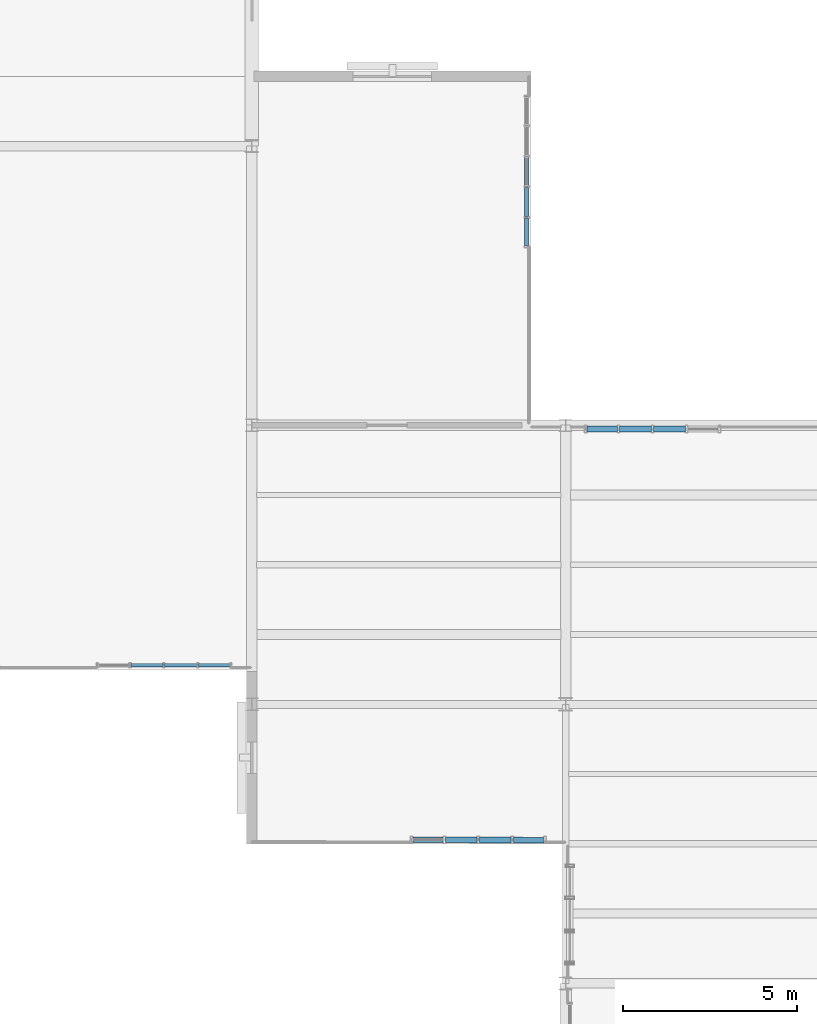
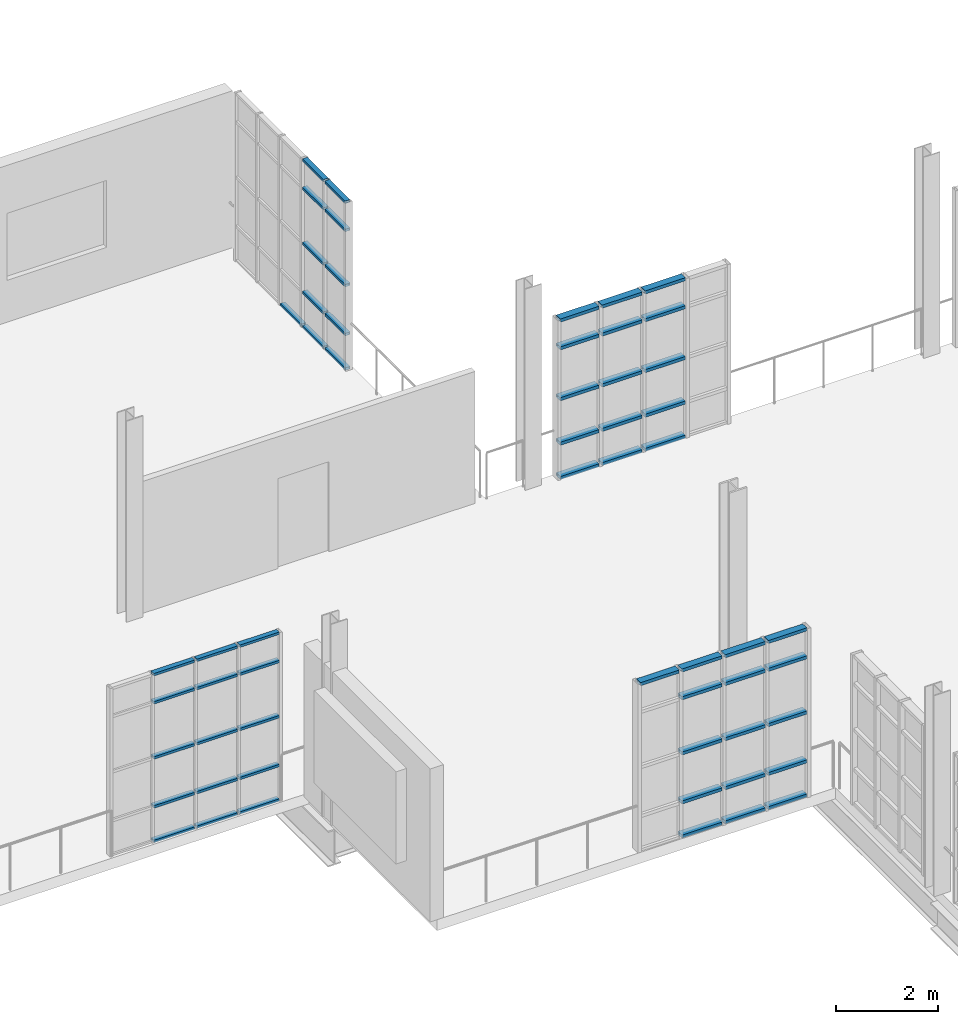
# One storey, part 68 of 122: 57 members, 4 elements without a shape of their own.
"""IFC4 building model written with IfcOpenShell, lengths in metres."""

from ifc_helpers import new_model, si_unit, direction, frame, origin, origin_2d, place, context, subcontext, project, spatial, hollow_rectangle, extrude, material, layer, layer_set, material_profile, profile_set, type_object, element, aggregate, save


model = new_model("IFC4")

# Units and contexts
model_context = context("Model", 3, precision=1e-05, world=origin(), true_north=direction((0.0, 1.0)))
body_context = subcontext(model_context, "Body", "Model", "MODEL_VIEW")
ifc_project = project(units=[si_unit("LENGTHUNIT", "METRE"), si_unit("AREAUNIT", "SQUARE_METRE"), si_unit("VOLUMEUNIT", "CUBIC_METRE"), si_unit("PLANEANGLEUNIT", "RADIAN"), si_unit("MASSUNIT", "GRAM", prefix="KILO"), si_unit("THERMODYNAMICTEMPERATUREUNIT", "KELVIN"), si_unit("POWERUNIT", "WATT")], contexts=[model_context])

# Site, building, storey
site_placement = place(None, origin())
site = spatial("IfcSite", under=ifc_project, at=site_placement, CompositionType="ELEMENT")
building_placement = place(site_placement, origin())
building = spatial("IfcBuilding", under=site, at=building_placement, Name="Zelmaris Science Centre", CompositionType="ELEMENT")
storey_placement = place(building_placement, frame((0.0, 0.0, 10.800048828125)))
storey = spatial("IfcBuildingStorey", under=building, at=storey_placement, Name="L02", CompositionType="ELEMENT", Elevation=10.800048828125)

# Curtain wall, members
ifc_material = material(Name="Anodised architectural aluminium 6063-T6", Category="aluminium")
ifc_layer_1 = layer(ifc_material, 0.219970703125, Name="Anodised architectural aluminium 6063-T6")
ifc_layer_set_1 = layer_set([ifc_layer_1], Name="Anodised architectural aluminium 6063-T6")
curtain_wall_type_1 = type_object("IfcCurtainWallType", Name="Curtain Wall CW-04", PredefinedType="USERDEFINED", material=ifc_layer_set_1)
curtain_wall_1_placement = place(storey_placement, origin())
curtain_wall_1 = element("IfcCurtainWall", 1, at=curtain_wall_1_placement, inside=storey, type_object=curtain_wall_type_1, Name="L02 Unitised curtain wall 216", ObjectType="GLAZED CURTAIN WALL", PredefinedType="USERDEFINED")
ifc_material_profile_1 = material_profile(ifc_material, hollow_rectangle(XDim=0.06005859375, YDim=0.110107421875, WallThickness=0.0029296875, at=origin_2d()), Name="ALU-TRN-60X110")
ifc_profile_set_1 = profile_set([ifc_material_profile_1], Name="Anodised architectural aluminium 6063-T6")
member_type_1 = type_object("IfcMemberType", Name="ALU-TRN-60X110", PredefinedType="USERDEFINED", material=ifc_profile_set_1)
member_1_placement = place(storey_placement, frame((115.8798828125, 63.68603515625, 0.010986328125), z_axis=(0.0, -1.0, 0.0), x_axis=(0.0, 0.0, 1.0)))
member_1 = element("IfcMember", 2, at=member_1_placement, type_object=member_type_1, Name="CW-04 transom 3.1", ObjectType="TRANSOM", PredefinedType="USERDEFINED", context=body_context, shape_type="SweptSolid", body=[
    extrude(hollow_rectangle(XDim=0.06005859375, YDim=0.110107421875, WallThickness=0.0029296875, at=origin_2d()), origin(), (0.0, 0.0, 1.0), 0.822021484375),
])
member_2_placement = place(storey_placement, frame((115.8798828125, 62.81201171875, 0.010986328125), z_axis=(0.0, -1.0, 0.0), x_axis=(0.0, 0.0, 1.0)))
member_2 = element("IfcMember", 3, at=member_2_placement, type_object=member_type_1, Name="CW-04 transom 4.1", ObjectType="TRANSOM", PredefinedType="USERDEFINED", context=body_context, shape_type="SweptSolid", body=[
    extrude(hollow_rectangle(XDim=0.06005859375, YDim=0.110107421875, WallThickness=0.0029296875, at=origin_2d()), origin(), (0.0, 0.0, 1.0), 0.822021484375),
])
member_3_placement = place(storey_placement, frame((115.8798828125, 62.81201171875, 0.8349609375), z_axis=(0.0, -1.0, 0.0), x_axis=(0.0, 0.0, 1.0)))
member_3 = element("IfcMember", 4, at=member_3_placement, type_object=member_type_1, Name="CW-04 transom 4.2", ObjectType="TRANSOM", PredefinedType="USERDEFINED", context=body_context, shape_type="SweptSolid", body=[
    extrude(hollow_rectangle(XDim=0.06005859375, YDim=0.110107421875, WallThickness=0.0029296875, at=origin_2d()), origin(), (0.0, 0.0, 1.0), 0.822021484375),
])
member_4_placement = place(storey_placement, frame((115.8798828125, 62.81201171875, 2.00244140625), z_axis=(0.0, -1.0, 0.0), x_axis=(0.0, 0.0, 1.0)))
member_4 = element("IfcMember", 5, at=member_4_placement, type_object=member_type_1, Name="CW-04 transom 4.3", ObjectType="TRANSOM", PredefinedType="USERDEFINED", context=body_context, shape_type="SweptSolid", body=[
    extrude(hollow_rectangle(XDim=0.06005859375, YDim=0.110107421875, WallThickness=0.0029296875, at=origin_2d()), origin(), (0.0, 0.0, 1.0), 0.822021484375),
])
member_5_placement = place(storey_placement, frame((115.8798828125, 62.81201171875, 3.320068359375), z_axis=(0.0, -1.0, 0.0), x_axis=(0.0, 0.0, 1.0)))
member_5 = element("IfcMember", 6, at=member_5_placement, type_object=member_type_1, Name="CW-04 transom 4.4", ObjectType="TRANSOM", PredefinedType="USERDEFINED", context=body_context, shape_type="SweptSolid", body=[
    extrude(hollow_rectangle(XDim=0.06005859375, YDim=0.110107421875, WallThickness=0.0029296875, at=origin_2d()), origin(), (0.0, 0.0, 1.0), 0.822021484375),
])
member_6_placement = place(storey_placement, frame((115.8798828125, 62.81201171875, 3.993896484375), z_axis=(0.0, -1.0, 0.0), x_axis=(0.0, 0.0, 1.0)))
member_6 = element("IfcMember", 7, at=member_6_placement, type_object=member_type_1, Name="CW-04 transom 4.5", ObjectType="TRANSOM", PredefinedType="USERDEFINED", context=body_context, shape_type="SweptSolid", body=[
    extrude(hollow_rectangle(XDim=0.06005859375, YDim=0.110107421875, WallThickness=0.0029296875, at=origin_2d()), origin(), (0.0, 0.0, 1.0), 0.822021484375),
])
member_7_placement = place(storey_placement, frame((115.8798828125, 61.93798828125, 0.010986328125), z_axis=(0.0, -1.0, 0.0), x_axis=(0.0, 0.0, 1.0)))
member_7 = element("IfcMember", 8, at=member_7_placement, type_object=member_type_1, Name="CW-04 transom 5.1", ObjectType="TRANSOM", PredefinedType="USERDEFINED", context=body_context, shape_type="SweptSolid", body=[
    extrude(hollow_rectangle(XDim=0.06005859375, YDim=0.110107421875, WallThickness=0.0029296875, at=origin_2d()), origin(), (0.0, 0.0, 1.0), 0.7958984375),
])
member_8_placement = place(storey_placement, frame((115.8798828125, 61.93798828125, 0.8349609375), z_axis=(0.0, -1.0, 0.0), x_axis=(0.0, 0.0, 1.0)))
member_8 = element("IfcMember", 9, at=member_8_placement, type_object=member_type_1, Name="CW-04 transom 5.2", ObjectType="TRANSOM", PredefinedType="USERDEFINED", context=body_context, shape_type="SweptSolid", body=[
    extrude(hollow_rectangle(XDim=0.06005859375, YDim=0.110107421875, WallThickness=0.0029296875, at=origin_2d()), origin(), (0.0, 0.0, 1.0), 0.7958984375),
])
member_9_placement = place(storey_placement, frame((115.8798828125, 61.93798828125, 2.00244140625), z_axis=(0.0, -1.0, 0.0), x_axis=(0.0, 0.0, 1.0)))
member_9 = element("IfcMember", 10, at=member_9_placement, type_object=member_type_1, Name="CW-04 transom 5.3", ObjectType="TRANSOM", PredefinedType="USERDEFINED", context=body_context, shape_type="SweptSolid", body=[
    extrude(hollow_rectangle(XDim=0.06005859375, YDim=0.110107421875, WallThickness=0.0029296875, at=origin_2d()), origin(), (0.0, 0.0, 1.0), 0.7958984375),
])
member_10_placement = place(storey_placement, frame((115.8798828125, 61.93798828125, 3.320068359375), z_axis=(0.0, -1.0, 0.0), x_axis=(0.0, 0.0, 1.0)))
member_10 = element("IfcMember", 11, at=member_10_placement, type_object=member_type_1, Name="CW-04 transom 5.4", ObjectType="TRANSOM", PredefinedType="USERDEFINED", context=body_context, shape_type="SweptSolid", body=[
    extrude(hollow_rectangle(XDim=0.06005859375, YDim=0.110107421875, WallThickness=0.0029296875, at=origin_2d()), origin(), (0.0, 0.0, 1.0), 0.7958984375),
])
member_11_placement = place(storey_placement, frame((115.8798828125, 61.93798828125, 3.993896484375), z_axis=(0.0, -1.0, 0.0), x_axis=(0.0, 0.0, 1.0)))
member_11 = element("IfcMember", 12, at=member_11_placement, type_object=member_type_1, Name="CW-04 transom 5.5", ObjectType="TRANSOM", PredefinedType="USERDEFINED", context=body_context, shape_type="SweptSolid", body=[
    extrude(hollow_rectangle(XDim=0.06005859375, YDim=0.110107421875, WallThickness=0.0029296875, at=origin_2d()), origin(), (0.0, 0.0, 1.0), 0.7958984375),
])
aggregate(curtain_wall_1, [member_1, member_2, member_3, member_4, member_5, member_6, member_7, member_8, member_9, member_10, member_11])

curtain_wall_2_placement = place(storey_placement, origin())
curtain_wall_2 = element("IfcCurtainWall", 13, at=curtain_wall_2_placement, inside=storey, type_object=curtain_wall_type_1, Name="L02 Unitised curtain wall 268", ObjectType="GLAZED CURTAIN WALL", PredefinedType="USERDEFINED")
member_12_placement = place(storey_placement, frame((107.365478515625, 49.11767578125, 0.010986328125), z_axis=(-0.999999962531, 0.000273747594, 0.0), x_axis=(0.0, 0.0, 1.0)))
member_12 = element("IfcMember", 14, at=member_12_placement, type_object=member_type_1, Name="CW-04 transom 1.1", ObjectType="TRANSOM", PredefinedType="USERDEFINED", context=body_context, shape_type="SweptSolid", body=[
    extrude(hollow_rectangle(XDim=0.06005859375, YDim=0.110107421875, WallThickness=0.0029296875, at=origin_2d()), origin(), (0.0, 0.0, 1.0), 0.891845703125),
])
member_13_placement = place(storey_placement, frame((107.365478515625, 49.11767578125, 0.8349609375), z_axis=(-0.999999962531, 0.000273747594, 0.0), x_axis=(0.0, 0.0, 1.0)))
member_13 = element("IfcMember", 15, at=member_13_placement, type_object=member_type_1, Name="CW-04 transom 1.2", ObjectType="TRANSOM", PredefinedType="USERDEFINED", context=body_context, shape_type="SweptSolid", body=[
    extrude(hollow_rectangle(XDim=0.06005859375, YDim=0.110107421875, WallThickness=0.0029296875, at=origin_2d()), origin(), (0.0, 0.0, 1.0), 0.891845703125),
])
member_14_placement = place(storey_placement, frame((107.365478515625, 49.11767578125, 2.00244140625), z_axis=(-0.999999962531, 0.000273747594, 0.0), x_axis=(0.0, 0.0, 1.0)))
member_14 = element("IfcMember", 16, at=member_14_placement, type_object=member_type_1, Name="CW-04 transom 1.3", ObjectType="TRANSOM", PredefinedType="USERDEFINED", context=body_context, shape_type="SweptSolid", body=[
    extrude(hollow_rectangle(XDim=0.06005859375, YDim=0.110107421875, WallThickness=0.0029296875, at=origin_2d()), origin(), (0.0, 0.0, 1.0), 0.891845703125),
])
member_15_placement = place(storey_placement, frame((107.365478515625, 49.11767578125, 3.320068359375), z_axis=(-0.999999962531, 0.000273747594, 0.0), x_axis=(0.0, 0.0, 1.0)))
member_15 = element("IfcMember", 17, at=member_15_placement, type_object=member_type_1, Name="CW-04 transom 1.4", ObjectType="TRANSOM", PredefinedType="USERDEFINED", context=body_context, shape_type="SweptSolid", body=[
    extrude(hollow_rectangle(XDim=0.06005859375, YDim=0.110107421875, WallThickness=0.0029296875, at=origin_2d()), origin(), (0.0, 0.0, 1.0), 0.891845703125),
])
member_16_placement = place(storey_placement, frame((107.365478515625, 49.11767578125, 3.993896484375), z_axis=(-0.999999962531, 0.000273747594, 0.0), x_axis=(0.0, 0.0, 1.0)))
member_16 = element("IfcMember", 18, at=member_16_placement, type_object=member_type_1, Name="CW-04 transom 1.5", ObjectType="TRANSOM", PredefinedType="USERDEFINED", context=body_context, shape_type="SweptSolid", body=[
    extrude(hollow_rectangle(XDim=0.06005859375, YDim=0.110107421875, WallThickness=0.0029296875, at=origin_2d()), origin(), (0.0, 0.0, 1.0), 0.891845703125),
])
member_17_placement = place(storey_placement, frame((106.421630859375, 49.117919921875, 0.010986328125), z_axis=(-0.999999964596, 0.000266098979, 0.0), x_axis=(0.0, 0.0, 1.0)))
member_17 = element("IfcMember", 19, at=member_17_placement, type_object=member_type_1, Name="CW-04 transom 2.1", ObjectType="TRANSOM", PredefinedType="USERDEFINED", context=body_context, shape_type="SweptSolid", body=[
    extrude(hollow_rectangle(XDim=0.06005859375, YDim=0.110107421875, WallThickness=0.0029296875, at=origin_2d()), origin(), (0.0, 0.0, 1.0), 0.91748046875),
])
member_18_placement = place(storey_placement, frame((106.421630859375, 49.117919921875, 0.8349609375), z_axis=(-0.999999964596, 0.000266098979, 0.0), x_axis=(0.0, 0.0, 1.0)))
member_18 = element("IfcMember", 20, at=member_18_placement, type_object=member_type_1, Name="CW-04 transom 2.2", ObjectType="TRANSOM", PredefinedType="USERDEFINED", context=body_context, shape_type="SweptSolid", body=[
    extrude(hollow_rectangle(XDim=0.06005859375, YDim=0.110107421875, WallThickness=0.0029296875, at=origin_2d()), origin(), (0.0, 0.0, 1.0), 0.91748046875),
])
member_19_placement = place(storey_placement, frame((106.421630859375, 49.117919921875, 2.00244140625), z_axis=(-0.999999964596, 0.000266098979, 0.0), x_axis=(0.0, 0.0, 1.0)))
member_19 = element("IfcMember", 21, at=member_19_placement, type_object=member_type_1, Name="CW-04 transom 2.3", ObjectType="TRANSOM", PredefinedType="USERDEFINED", context=body_context, shape_type="SweptSolid", body=[
    extrude(hollow_rectangle(XDim=0.06005859375, YDim=0.110107421875, WallThickness=0.0029296875, at=origin_2d()), origin(), (0.0, 0.0, 1.0), 0.91748046875),
])
member_20_placement = place(storey_placement, frame((106.421630859375, 49.117919921875, 3.320068359375), z_axis=(-0.999999964596, 0.000266098979, 0.0), x_axis=(0.0, 0.0, 1.0)))
member_20 = element("IfcMember", 22, at=member_20_placement, type_object=member_type_1, Name="CW-04 transom 2.4", ObjectType="TRANSOM", PredefinedType="USERDEFINED", context=body_context, shape_type="SweptSolid", body=[
    extrude(hollow_rectangle(XDim=0.06005859375, YDim=0.110107421875, WallThickness=0.0029296875, at=origin_2d()), origin(), (0.0, 0.0, 1.0), 0.91748046875),
])
member_21_placement = place(storey_placement, frame((106.421630859375, 49.117919921875, 3.993896484375), z_axis=(-0.999999964596, 0.000266098979, 0.0), x_axis=(0.0, 0.0, 1.0)))
member_21 = element("IfcMember", 23, at=member_21_placement, type_object=member_type_1, Name="CW-04 transom 2.5", ObjectType="TRANSOM", PredefinedType="USERDEFINED", context=body_context, shape_type="SweptSolid", body=[
    extrude(hollow_rectangle(XDim=0.06005859375, YDim=0.110107421875, WallThickness=0.0029296875, at=origin_2d()), origin(), (0.0, 0.0, 1.0), 0.91748046875),
])
member_22_placement = place(storey_placement, frame((105.4521484375, 49.1181640625, 0.010986328125), z_axis=(-0.999999964615, 0.00026602819, 0.0), x_axis=(0.0, 0.0, 1.0)))
member_22 = element("IfcMember", 24, at=member_22_placement, type_object=member_type_1, Name="CW-04 transom 3.1", ObjectType="TRANSOM", PredefinedType="USERDEFINED", context=body_context, shape_type="SweptSolid", body=[
    extrude(hollow_rectangle(XDim=0.06005859375, YDim=0.110107421875, WallThickness=0.0029296875, at=origin_2d()), origin(), (0.0, 0.0, 1.0), 0.917724609375),
])
member_23_placement = place(storey_placement, frame((105.4521484375, 49.1181640625, 0.8349609375), z_axis=(-0.999999964615, 0.00026602819, 0.0), x_axis=(0.0, 0.0, 1.0)))
member_23 = element("IfcMember", 25, at=member_23_placement, type_object=member_type_1, Name="CW-04 transom 3.2", ObjectType="TRANSOM", PredefinedType="USERDEFINED", context=body_context, shape_type="SweptSolid", body=[
    extrude(hollow_rectangle(XDim=0.06005859375, YDim=0.110107421875, WallThickness=0.0029296875, at=origin_2d()), origin(), (0.0, 0.0, 1.0), 0.917724609375),
])
member_24_placement = place(storey_placement, frame((105.4521484375, 49.1181640625, 2.00244140625), z_axis=(-0.999999964615, 0.00026602819, 0.0), x_axis=(0.0, 0.0, 1.0)))
member_24 = element("IfcMember", 26, at=member_24_placement, type_object=member_type_1, Name="CW-04 transom 3.3", ObjectType="TRANSOM", PredefinedType="USERDEFINED", context=body_context, shape_type="SweptSolid", body=[
    extrude(hollow_rectangle(XDim=0.06005859375, YDim=0.110107421875, WallThickness=0.0029296875, at=origin_2d()), origin(), (0.0, 0.0, 1.0), 0.917724609375),
])
member_25_placement = place(storey_placement, frame((105.4521484375, 49.1181640625, 3.320068359375), z_axis=(-0.999999964615, 0.00026602819, 0.0), x_axis=(0.0, 0.0, 1.0)))
member_25 = element("IfcMember", 27, at=member_25_placement, type_object=member_type_1, Name="CW-04 transom 3.4", ObjectType="TRANSOM", PredefinedType="USERDEFINED", context=body_context, shape_type="SweptSolid", body=[
    extrude(hollow_rectangle(XDim=0.06005859375, YDim=0.110107421875, WallThickness=0.0029296875, at=origin_2d()), origin(), (0.0, 0.0, 1.0), 0.917724609375),
])
member_26_placement = place(storey_placement, frame((105.4521484375, 49.1181640625, 3.993896484375), z_axis=(-0.999999964615, 0.00026602819, 0.0), x_axis=(0.0, 0.0, 1.0)))
member_26 = element("IfcMember", 28, at=member_26_placement, type_object=member_type_1, Name="CW-04 transom 3.5", ObjectType="TRANSOM", PredefinedType="USERDEFINED", context=body_context, shape_type="SweptSolid", body=[
    extrude(hollow_rectangle(XDim=0.06005859375, YDim=0.110107421875, WallThickness=0.0029296875, at=origin_2d()), origin(), (0.0, 0.0, 1.0), 0.917724609375),
])
aggregate(curtain_wall_2, [member_12, member_13, member_14, member_15, member_16, member_17, member_18, member_19, member_20, member_21, member_22, member_23, member_24, member_25, member_26])

ifc_layer_2 = layer(ifc_material, 0.199951171875, Name="Anodised architectural aluminium 6063-T6")
ifc_layer_set_2 = layer_set([ifc_layer_2], Name="Anodised architectural aluminium 6063-T6")
curtain_wall_type_2 = type_object("IfcCurtainWallType", Name="Curtain Wall CW-02", PredefinedType="USERDEFINED", material=ifc_layer_set_2)
curtain_wall_3_placement = place(storey_placement, origin())
curtain_wall_3 = element("IfcCurtainWall", 29, at=curtain_wall_3_placement, inside=storey, type_object=curtain_wall_type_2, Name="L02 Unitised curtain wall 218", ObjectType="GLAZED CURTAIN WALL", PredefinedType="USERDEFINED")
ifc_material_profile_2 = material_profile(ifc_material, hollow_rectangle(XDim=0.074951171875, YDim=0.159912109375, WallThickness=0.00390625, at=origin_2d()), Name="ALU-TRN-75X160")
ifc_profile_set_2 = profile_set([ifc_material_profile_2], Name="Anodised architectural aluminium 6063-T6")
member_type_2 = type_object("IfcMemberType", Name="ALU-TRN-75X160", PredefinedType="USERDEFINED", material=ifc_profile_set_2)
member_27_placement = place(storey_placement, frame((117.60693359375, 55.892822265625, 0.0185546875), z_axis=(0.999999844124, -0.000558347205, 0.0), x_axis=(0.0, 0.0, 1.0)))
member_27 = element("IfcMember", 30, at=member_27_placement, type_object=member_type_2, Name="CW-02 transom 1.1", ObjectType="TRANSOM", PredefinedType="USERDEFINED", context=body_context, shape_type="SweptSolid", body=[
    extrude(hollow_rectangle(XDim=0.074951171875, YDim=0.159912109375, WallThickness=0.00390625, at=origin_2d()), origin(), (0.0, 0.0, 1.0), 0.87451171875),
])
member_28_placement = place(storey_placement, frame((117.60693359375, 55.892822265625, 0.8349609375), z_axis=(0.999999844124, -0.000558347205, 0.0), x_axis=(0.0, 0.0, 1.0)))
member_28 = element("IfcMember", 31, at=member_28_placement, type_object=member_type_2, Name="CW-02 transom 1.2", ObjectType="TRANSOM", PredefinedType="USERDEFINED", context=body_context, shape_type="SweptSolid", body=[
    extrude(hollow_rectangle(XDim=0.074951171875, YDim=0.159912109375, WallThickness=0.00390625, at=origin_2d()), origin(), (0.0, 0.0, 1.0), 0.87451171875),
])
member_29_placement = place(storey_placement, frame((117.60693359375, 55.892822265625, 1.8984375), z_axis=(0.999999844124, -0.000558347205, 0.0), x_axis=(0.0, 0.0, 1.0)))
member_29 = element("IfcMember", 32, at=member_29_placement, type_object=member_type_2, Name="CW-02 transom 1.3", ObjectType="TRANSOM", PredefinedType="USERDEFINED", context=body_context, shape_type="SweptSolid", body=[
    extrude(hollow_rectangle(XDim=0.074951171875, YDim=0.159912109375, WallThickness=0.00390625, at=origin_2d()), origin(), (0.0, 0.0, 1.0), 0.87451171875),
])
member_30_placement = place(storey_placement, frame((117.60693359375, 55.892822265625, 3.112060546875), z_axis=(0.999999844124, -0.000558347205, 0.0), x_axis=(0.0, 0.0, 1.0)))
member_30 = element("IfcMember", 33, at=member_30_placement, type_object=member_type_2, Name="CW-02 transom 1.4", ObjectType="TRANSOM", PredefinedType="USERDEFINED", context=body_context, shape_type="SweptSolid", body=[
    extrude(hollow_rectangle(XDim=0.074951171875, YDim=0.159912109375, WallThickness=0.00390625, at=origin_2d()), origin(), (0.0, 0.0, 1.0), 0.87451171875),
])
member_31_placement = place(storey_placement, frame((117.60693359375, 55.892822265625, 3.778564453125), z_axis=(0.999999844124, -0.000558347205, 0.0), x_axis=(0.0, 0.0, 1.0)))
member_31 = element("IfcMember", 34, at=member_31_placement, type_object=member_type_2, Name="CW-02 transom 1.5", ObjectType="TRANSOM", PredefinedType="USERDEFINED", context=body_context, shape_type="SweptSolid", body=[
    extrude(hollow_rectangle(XDim=0.074951171875, YDim=0.159912109375, WallThickness=0.00390625, at=origin_2d()), origin(), (0.0, 0.0, 1.0), 0.87451171875),
])
member_32_placement = place(storey_placement, frame((118.54833984375, 55.892333984375, 0.0185546875), z_axis=(0.999999855397, -0.000537778895, 0.0), x_axis=(0.0, 0.0, 1.0)))
member_32 = element("IfcMember", 35, at=member_32_placement, type_object=member_type_2, Name="CW-02 transom 2.1", ObjectType="TRANSOM", PredefinedType="USERDEFINED", context=body_context, shape_type="SweptSolid", body=[
    extrude(hollow_rectangle(XDim=0.074951171875, YDim=0.159912109375, WallThickness=0.00390625, at=origin_2d()), origin(), (0.0, 0.0, 1.0), 0.907958984375),
])
member_33_placement = place(storey_placement, frame((118.54833984375, 55.892333984375, 0.8349609375), z_axis=(0.999999855397, -0.000537778895, 0.0), x_axis=(0.0, 0.0, 1.0)))
member_33 = element("IfcMember", 36, at=member_33_placement, type_object=member_type_2, Name="CW-02 transom 2.2", ObjectType="TRANSOM", PredefinedType="USERDEFINED", context=body_context, shape_type="SweptSolid", body=[
    extrude(hollow_rectangle(XDim=0.074951171875, YDim=0.159912109375, WallThickness=0.00390625, at=origin_2d()), origin(), (0.0, 0.0, 1.0), 0.907958984375),
])
member_34_placement = place(storey_placement, frame((118.54833984375, 55.892333984375, 1.8984375), z_axis=(0.999999855397, -0.000537778895, 0.0), x_axis=(0.0, 0.0, 1.0)))
member_34 = element("IfcMember", 37, at=member_34_placement, type_object=member_type_2, Name="CW-02 transom 2.3", ObjectType="TRANSOM", PredefinedType="USERDEFINED", context=body_context, shape_type="SweptSolid", body=[
    extrude(hollow_rectangle(XDim=0.074951171875, YDim=0.159912109375, WallThickness=0.00390625, at=origin_2d()), origin(), (0.0, 0.0, 1.0), 0.907958984375),
])
member_35_placement = place(storey_placement, frame((118.54833984375, 55.892333984375, 3.112060546875), z_axis=(0.999999855397, -0.000537778895, 0.0), x_axis=(0.0, 0.0, 1.0)))
member_35 = element("IfcMember", 38, at=member_35_placement, type_object=member_type_2, Name="CW-02 transom 2.4", ObjectType="TRANSOM", PredefinedType="USERDEFINED", context=body_context, shape_type="SweptSolid", body=[
    extrude(hollow_rectangle(XDim=0.074951171875, YDim=0.159912109375, WallThickness=0.00390625, at=origin_2d()), origin(), (0.0, 0.0, 1.0), 0.907958984375),
])
member_36_placement = place(storey_placement, frame((118.54833984375, 55.892333984375, 3.778564453125), z_axis=(0.999999855397, -0.000537778895, 0.0), x_axis=(0.0, 0.0, 1.0)))
member_36 = element("IfcMember", 39, at=member_36_placement, type_object=member_type_2, Name="CW-02 transom 2.5", ObjectType="TRANSOM", PredefinedType="USERDEFINED", context=body_context, shape_type="SweptSolid", body=[
    extrude(hollow_rectangle(XDim=0.074951171875, YDim=0.159912109375, WallThickness=0.00390625, at=origin_2d()), origin(), (0.0, 0.0, 1.0), 0.907958984375),
])
member_37_placement = place(storey_placement, frame((119.5234375, 55.891845703125, 0.0185546875), z_axis=(0.999999963849, -0.000268889477, 0.0), x_axis=(0.0, 0.0, 1.0)))
member_37 = element("IfcMember", 40, at=member_37_placement, type_object=member_type_2, Name="CW-02 transom 3.1", ObjectType="TRANSOM", PredefinedType="USERDEFINED", context=body_context, shape_type="SweptSolid", body=[
    extrude(hollow_rectangle(XDim=0.074951171875, YDim=0.159912109375, WallThickness=0.00390625, at=origin_2d()), origin(), (0.0, 0.0, 1.0), 0.907958984375),
])
member_38_placement = place(storey_placement, frame((119.5234375, 55.891845703125, 0.8349609375), z_axis=(0.999999963849, -0.000268889477, 0.0), x_axis=(0.0, 0.0, 1.0)))
member_38 = element("IfcMember", 41, at=member_38_placement, type_object=member_type_2, Name="CW-02 transom 3.2", ObjectType="TRANSOM", PredefinedType="USERDEFINED", context=body_context, shape_type="SweptSolid", body=[
    extrude(hollow_rectangle(XDim=0.074951171875, YDim=0.159912109375, WallThickness=0.00390625, at=origin_2d()), origin(), (0.0, 0.0, 1.0), 0.907958984375),
])
member_39_placement = place(storey_placement, frame((119.5234375, 55.891845703125, 1.8984375), z_axis=(0.999999963849, -0.000268889477, 0.0), x_axis=(0.0, 0.0, 1.0)))
member_39 = element("IfcMember", 42, at=member_39_placement, type_object=member_type_2, Name="CW-02 transom 3.3", ObjectType="TRANSOM", PredefinedType="USERDEFINED", context=body_context, shape_type="SweptSolid", body=[
    extrude(hollow_rectangle(XDim=0.074951171875, YDim=0.159912109375, WallThickness=0.00390625, at=origin_2d()), origin(), (0.0, 0.0, 1.0), 0.907958984375),
])
member_40_placement = place(storey_placement, frame((119.5234375, 55.891845703125, 3.112060546875), z_axis=(0.999999963849, -0.000268889477, 0.0), x_axis=(0.0, 0.0, 1.0)))
member_40 = element("IfcMember", 43, at=member_40_placement, type_object=member_type_2, Name="CW-02 transom 3.4", ObjectType="TRANSOM", PredefinedType="USERDEFINED", context=body_context, shape_type="SweptSolid", body=[
    extrude(hollow_rectangle(XDim=0.074951171875, YDim=0.159912109375, WallThickness=0.00390625, at=origin_2d()), origin(), (0.0, 0.0, 1.0), 0.907958984375),
])
member_41_placement = place(storey_placement, frame((119.5234375, 55.891845703125, 3.778564453125), z_axis=(0.999999963849, -0.000268889477, 0.0), x_axis=(0.0, 0.0, 1.0)))
member_41 = element("IfcMember", 44, at=member_41_placement, type_object=member_type_2, Name="CW-02 transom 3.5", ObjectType="TRANSOM", PredefinedType="USERDEFINED", context=body_context, shape_type="SweptSolid", body=[
    extrude(hollow_rectangle(XDim=0.074951171875, YDim=0.159912109375, WallThickness=0.00390625, at=origin_2d()), origin(), (0.0, 0.0, 1.0), 0.907958984375),
])
aggregate(curtain_wall_3, [member_27, member_28, member_29, member_30, member_31, member_32, member_33, member_34, member_35, member_36, member_37, member_38, member_39, member_40, member_41])

curtain_wall_4_placement = place(storey_placement, origin())
curtain_wall_4 = element("IfcCurtainWall", 45, at=curtain_wall_4_placement, inside=storey, type_object=curtain_wall_type_2, Name="L02 Unitised curtain wall 266", ObjectType="GLAZED CURTAIN WALL", PredefinedType="USERDEFINED")
member_42_placement = place(storey_placement, frame((116.371337890625, 44.107421875, 0.0185546875), z_axis=(-0.999999019766, 0.001400166648, 0.0), x_axis=(0.0, 0.0, 1.0)))
member_42 = element("IfcMember", 46, at=member_42_placement, type_object=member_type_2, Name="CW-02 transom 1.1", ObjectType="TRANSOM", PredefinedType="USERDEFINED", context=body_context, shape_type="SweptSolid", body=[
    extrude(hollow_rectangle(XDim=0.074951171875, YDim=0.159912109375, WallThickness=0.00390625, at=origin_2d()), origin(), (0.0, 0.0, 1.0), 0.871826171875),
])
member_43_placement = place(storey_placement, frame((116.371337890625, 44.107421875, 0.8349609375), z_axis=(-0.999999019766, 0.001400166648, 0.0), x_axis=(0.0, 0.0, 1.0)))
member_43 = element("IfcMember", 47, at=member_43_placement, type_object=member_type_2, Name="CW-02 transom 1.2", ObjectType="TRANSOM", PredefinedType="USERDEFINED", context=body_context, shape_type="SweptSolid", body=[
    extrude(hollow_rectangle(XDim=0.074951171875, YDim=0.159912109375, WallThickness=0.00390625, at=origin_2d()), origin(), (0.0, 0.0, 1.0), 0.871826171875),
])
member_44_placement = place(storey_placement, frame((116.371337890625, 44.107421875, 2.00244140625), z_axis=(-0.999999019766, 0.001400166648, 0.0), x_axis=(0.0, 0.0, 1.0)))
member_44 = element("IfcMember", 48, at=member_44_placement, type_object=member_type_2, Name="CW-02 transom 1.3", ObjectType="TRANSOM", PredefinedType="USERDEFINED", context=body_context, shape_type="SweptSolid", body=[
    extrude(hollow_rectangle(XDim=0.074951171875, YDim=0.159912109375, WallThickness=0.00390625, at=origin_2d()), origin(), (0.0, 0.0, 1.0), 0.871826171875),
])
member_45_placement = place(storey_placement, frame((116.371337890625, 44.107421875, 3.320068359375), z_axis=(-0.999999019766, 0.001400166648, 0.0), x_axis=(0.0, 0.0, 1.0)))
member_45 = element("IfcMember", 49, at=member_45_placement, type_object=member_type_2, Name="CW-02 transom 1.4", ObjectType="TRANSOM", PredefinedType="USERDEFINED", context=body_context, shape_type="SweptSolid", body=[
    extrude(hollow_rectangle(XDim=0.074951171875, YDim=0.159912109375, WallThickness=0.00390625, at=origin_2d()), origin(), (0.0, 0.0, 1.0), 0.871826171875),
])
member_46_placement = place(storey_placement, frame((116.371337890625, 44.107421875, 3.986572265625), z_axis=(-0.999999019766, 0.001400166648, 0.0), x_axis=(0.0, 0.0, 1.0)))
member_46 = element("IfcMember", 50, at=member_46_placement, type_object=member_type_2, Name="CW-02 transom 1.5", ObjectType="TRANSOM", PredefinedType="USERDEFINED", context=body_context, shape_type="SweptSolid", body=[
    extrude(hollow_rectangle(XDim=0.074951171875, YDim=0.159912109375, WallThickness=0.00390625, at=origin_2d()), origin(), (0.0, 0.0, 1.0), 0.871826171875),
])
member_47_placement = place(storey_placement, frame((115.4326171875, 44.108642578125, 0.0185546875), z_axis=(-0.999998690842, 0.001618120859, 0.0), x_axis=(0.0, 0.0, 1.0)))
member_47 = element("IfcMember", 51, at=member_47_placement, type_object=member_type_2, Name="CW-02 transom 2.1", ObjectType="TRANSOM", PredefinedType="USERDEFINED", context=body_context, shape_type="SweptSolid", body=[
    extrude(hollow_rectangle(XDim=0.074951171875, YDim=0.159912109375, WallThickness=0.00390625, at=origin_2d()), origin(), (0.0, 0.0, 1.0), 0.9052734375),
])
member_48_placement = place(storey_placement, frame((115.4326171875, 44.108642578125, 0.8349609375), z_axis=(-0.999998690842, 0.001618120859, 0.0), x_axis=(0.0, 0.0, 1.0)))
member_48 = element("IfcMember", 52, at=member_48_placement, type_object=member_type_2, Name="CW-02 transom 2.2", ObjectType="TRANSOM", PredefinedType="USERDEFINED", context=body_context, shape_type="SweptSolid", body=[
    extrude(hollow_rectangle(XDim=0.074951171875, YDim=0.159912109375, WallThickness=0.00390625, at=origin_2d()), origin(), (0.0, 0.0, 1.0), 0.9052734375),
])
member_49_placement = place(storey_placement, frame((115.4326171875, 44.108642578125, 2.00244140625), z_axis=(-0.999998690842, 0.001618120859, 0.0), x_axis=(0.0, 0.0, 1.0)))
member_49 = element("IfcMember", 53, at=member_49_placement, type_object=member_type_2, Name="CW-02 transom 2.3", ObjectType="TRANSOM", PredefinedType="USERDEFINED", context=body_context, shape_type="SweptSolid", body=[
    extrude(hollow_rectangle(XDim=0.074951171875, YDim=0.159912109375, WallThickness=0.00390625, at=origin_2d()), origin(), (0.0, 0.0, 1.0), 0.9052734375),
])
member_50_placement = place(storey_placement, frame((115.4326171875, 44.108642578125, 3.320068359375), z_axis=(-0.999998690842, 0.001618120859, 0.0), x_axis=(0.0, 0.0, 1.0)))
member_50 = element("IfcMember", 54, at=member_50_placement, type_object=member_type_2, Name="CW-02 transom 2.4", ObjectType="TRANSOM", PredefinedType="USERDEFINED", context=body_context, shape_type="SweptSolid", body=[
    extrude(hollow_rectangle(XDim=0.074951171875, YDim=0.159912109375, WallThickness=0.00390625, at=origin_2d()), origin(), (0.0, 0.0, 1.0), 0.9052734375),
])
member_51_placement = place(storey_placement, frame((115.4326171875, 44.108642578125, 3.986572265625), z_axis=(-0.999998690842, 0.001618120859, 0.0), x_axis=(0.0, 0.0, 1.0)))
member_51 = element("IfcMember", 55, at=member_51_placement, type_object=member_type_2, Name="CW-02 transom 2.5", ObjectType="TRANSOM", PredefinedType="USERDEFINED", context=body_context, shape_type="SweptSolid", body=[
    extrude(hollow_rectangle(XDim=0.074951171875, YDim=0.159912109375, WallThickness=0.00390625, at=origin_2d()), origin(), (0.0, 0.0, 1.0), 0.9052734375),
])
member_52_placement = place(storey_placement, frame((114.460205078125, 44.110107421875, 0.0185546875), z_axis=(-0.999998690842, 0.001618120859, 0.0), x_axis=(0.0, 0.0, 1.0)))
member_52 = element("IfcMember", 56, at=member_52_placement, type_object=member_type_2, Name="CW-02 transom 3.1", ObjectType="TRANSOM", PredefinedType="USERDEFINED", context=body_context, shape_type="SweptSolid", body=[
    extrude(hollow_rectangle(XDim=0.074951171875, YDim=0.159912109375, WallThickness=0.00390625, at=origin_2d()), origin(), (0.0, 0.0, 1.0), 0.9052734375),
])
member_53_placement = place(storey_placement, frame((114.460205078125, 44.110107421875, 0.8349609375), z_axis=(-0.999998690842, 0.001618120859, 0.0), x_axis=(0.0, 0.0, 1.0)))
member_53 = element("IfcMember", 57, at=member_53_placement, type_object=member_type_2, Name="CW-02 transom 3.2", ObjectType="TRANSOM", PredefinedType="USERDEFINED", context=body_context, shape_type="SweptSolid", body=[
    extrude(hollow_rectangle(XDim=0.074951171875, YDim=0.159912109375, WallThickness=0.00390625, at=origin_2d()), origin(), (0.0, 0.0, 1.0), 0.9052734375),
])
member_54_placement = place(storey_placement, frame((114.460205078125, 44.110107421875, 2.00244140625), z_axis=(-0.999998690842, 0.001618120859, 0.0), x_axis=(0.0, 0.0, 1.0)))
member_54 = element("IfcMember", 58, at=member_54_placement, type_object=member_type_2, Name="CW-02 transom 3.3", ObjectType="TRANSOM", PredefinedType="USERDEFINED", context=body_context, shape_type="SweptSolid", body=[
    extrude(hollow_rectangle(XDim=0.074951171875, YDim=0.159912109375, WallThickness=0.00390625, at=origin_2d()), origin(), (0.0, 0.0, 1.0), 0.9052734375),
])
member_55_placement = place(storey_placement, frame((114.460205078125, 44.110107421875, 3.320068359375), z_axis=(-0.999998690842, 0.001618120859, 0.0), x_axis=(0.0, 0.0, 1.0)))
member_55 = element("IfcMember", 59, at=member_55_placement, type_object=member_type_2, Name="CW-02 transom 3.4", ObjectType="TRANSOM", PredefinedType="USERDEFINED", context=body_context, shape_type="SweptSolid", body=[
    extrude(hollow_rectangle(XDim=0.074951171875, YDim=0.159912109375, WallThickness=0.00390625, at=origin_2d()), origin(), (0.0, 0.0, 1.0), 0.9052734375),
])
member_56_placement = place(storey_placement, frame((114.460205078125, 44.110107421875, 3.986572265625), z_axis=(-0.999998690842, 0.001618120859, 0.0), x_axis=(0.0, 0.0, 1.0)))
member_56 = element("IfcMember", 60, at=member_56_placement, type_object=member_type_2, Name="CW-02 transom 3.5", ObjectType="TRANSOM", PredefinedType="USERDEFINED", context=body_context, shape_type="SweptSolid", body=[
    extrude(hollow_rectangle(XDim=0.074951171875, YDim=0.159912109375, WallThickness=0.00390625, at=origin_2d()), origin(), (0.0, 0.0, 1.0), 0.9052734375),
])
member_57_placement = place(storey_placement, frame((113.488037109375, 44.111572265625, 3.986572265625), z_axis=(-0.999998588464, 0.001680199253, 0.0), x_axis=(0.0, 0.0, 1.0)))
member_57 = element("IfcMember", 61, at=member_57_placement, type_object=member_type_2, Name="CW-02 transom 4.5", ObjectType="TRANSOM", PredefinedType="USERDEFINED", context=body_context, shape_type="SweptSolid", body=[
    extrude(hollow_rectangle(XDim=0.074951171875, YDim=0.159912109375, WallThickness=0.00390625, at=origin_2d()), origin(), (0.0, 0.0, 1.0), 0.871826171875),
])
aggregate(curtain_wall_4, [member_42, member_43, member_44, member_45, member_46, member_47, member_48, member_49, member_50, member_51, member_52, member_53, member_54, member_55, member_56, member_57])

save(model, "model.ifc")
